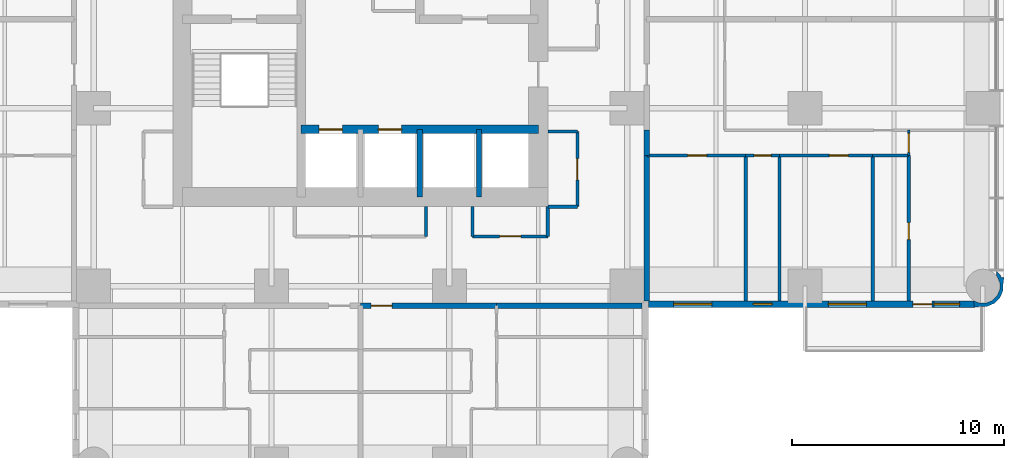
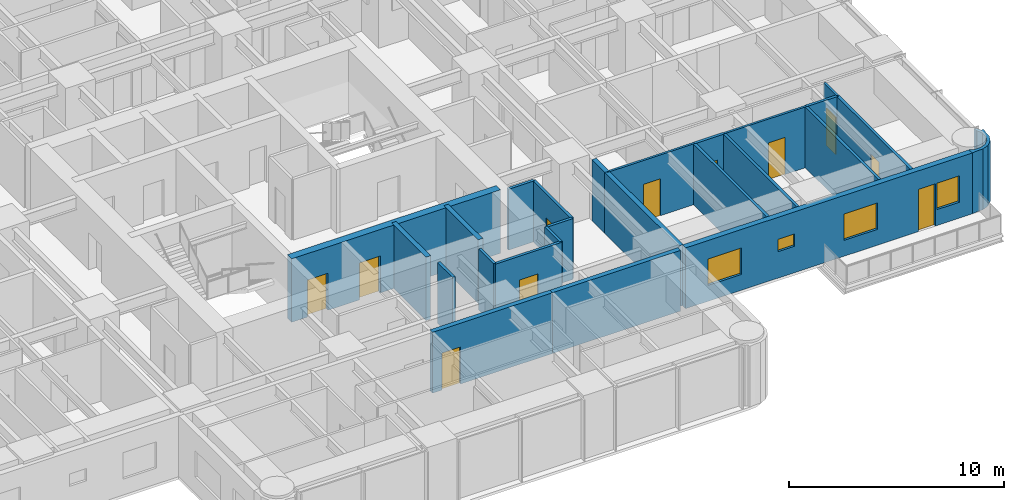
# One storey, part 9 of 15: 25 walls, 11 doors, 4 windows, 15 openings.
"""IFC4 building model written with IfcOpenShell, lengths in metres."""

from ifc_helpers import new_model, si_unit, direction, frame, frame_2d, origin, place, context, subcontext, project, spatial, polyline, rectangle, outline, extrude, material, layer, layer_set, type_object, element, fill, save


model = new_model("IFC4")

# Units and contexts
model_context = context("Model", 3, precision=1e-05, world=origin(), true_north=direction((0.0, 1.0)))
body_context = subcontext(model_context, "Body", "Model", "MODEL_VIEW")
ifc_project = project(units=[si_unit("LENGTHUNIT", "METRE"), si_unit("AREAUNIT", "SQUARE_METRE"), si_unit("VOLUMEUNIT", "CUBIC_METRE"), si_unit("PLANEANGLEUNIT", "RADIAN"), si_unit("MASSUNIT", "GRAM", prefix="KILO")], contexts=[model_context])

# Site, building, storey
site_placement = place(None, origin())
site = spatial("IfcSite", under=ifc_project, at=site_placement, CompositionType="ELEMENT")
building_placement = place(site_placement, origin())
building = spatial("IfcBuilding", under=site, at=building_placement, Name="Torre Alcanfor", CompositionType="ELEMENT")
storey_placement = place(building_placement, frame((0.0, 0.0, 152.10009765625)))
storey = spatial("IfcBuildingStorey", under=building, at=storey_placement, Name="L39", CompositionType="ELEMENT", Elevation=152.10009765625)

# Walls
ifc_material_1 = material(Name="Concrete block masonry, hollow blocks NMX-C-404 9 MPa", Category="masonry")
ifc_layer_1 = layer(ifc_material_1, 0.25)
ifc_layer_set_1 = layer_set([ifc_layer_1], Name="Apartment entrance wall 250 EI 60")
wall_type_1 = type_object("IfcWallType", Name="Apartment entrance wall 250 EI 60", PredefinedType="PARTITIONING", material=ifc_layer_set_1)
wall_1_placement = place(storey_placement, frame((42.925048828125, 24.1708984375, 0.0), z_axis=(0.0, 0.0, 1.0), x_axis=(0.0, -1.0, 0.0)))
element("IfcWall", 1, at=wall_1_placement, inside=storey, type_object=wall_type_1, Name="Partition L39-CORR / L39-E2-HALL", PredefinedType="PARTITIONING", context=body_context, shape_type="SweptSolid", body=[
    extrude(rectangle(XDim=1.199951171875, YDim=0.25, at=frame_2d((0.60009765625, 0.0))), origin(), (0.0, 0.0, 1.0), 3.449951171875),
])
wall_2_placement = place(storey_placement, frame((42.925048828125, 22.970947265625, 0.0), z_axis=(0.0, 0.0, 1.0), x_axis=(0.0, -1.0, 0.0)))
element("IfcWall", 2, at=wall_2_placement, inside=storey, type_object=wall_type_1, Name="Partition L39-CORR / L39-E2-BED3", PredefinedType="PARTITIONING", context=body_context, shape_type="SweptSolid", body=[
    extrude(rectangle(XDim=6.870849609375, YDim=0.25, at=frame_2d((3.435546875, 0.0))), origin(), (0.0, 0.0, 1.0), 3.449951171875),
])

# Wall, opening, door
wall_3_placement = place(storey_placement, frame((35.8291015625, 15.875, 0.0), z_axis=(0.0, 0.0, 1.0), x_axis=(-1.0, 0.0, 0.0)))
wall_3 = element("IfcWall", 3, at=wall_3_placement, inside=storey, type_object=wall_type_1, Name="Partition L39-CORR / L39-S1-LIVING", PredefinedType="PARTITIONING", context=body_context, shape_type="SweptSolid", body=[
    extrude(rectangle(XDim=6.42919921875, YDim=0.25, at=frame_2d((3.214599609375, 0.0))), origin(), (0.0, 0.0, 1.0), 3.449951171875),
])
opening_1_placement = place(wall_3_placement, frame((4.928955078125, 0.0, 0.0)))
opening_1 = element("IfcOpeningElement", 4, at=opening_1_placement, cuts=wall_3, Name="Opening D-A1", PredefinedType="OPENING", context=body_context, shape_type="SweptSolid", body=[
    extrude(rectangle(XDim=1.0, YDim=2.10009765625, at=frame_2d((0.5, 1.050048828125))), frame((0.0, 0.135009765625, 0.0), z_axis=(0.0, -1.0, 0.0), x_axis=(1.0, 0.0, 0.0)), (0.0, 0.0, 1.0), 0.27001953125),
])
ifc_material_2 = material(Name="Galvanised steel sheet ASTM A653", Category="steel")
door_type_1 = type_object("IfcDoorType", Name="Apartment entrance door FD60 1000x2100", OperationType="SINGLE_SWING_LEFT", PredefinedType="DOOR", material=ifc_material_2)
door_1_placement = place(opening_1_placement, origin())
door_1 = element("IfcDoor", 5, at=door_1_placement, inside=storey, type_object=door_type_1, Name="Apartment entrance L39-S1", OperationType="SINGLE_SWING_RIGHT", OverallHeight=2.10009765625, OverallWidth=1.0, PredefinedType="DOOR", context=body_context, shape_type="SweptSolid", body=[
    extrude(rectangle(XDim=1.0, YDim=2.10009765625, at=frame_2d((0.5, 1.050048828125))), frame((0.0, 0.02490234375, 0.0), z_axis=(0.0, -1.0, 0.0), x_axis=(1.0, 0.0, 0.0)), (0.0, 0.0, 1.0), 0.050048828125),
])
fill(opening_1, door_1)

# Wall
wall_4_placement = place(storey_placement, frame((42.699951171875, 15.875, 0.0), z_axis=(0.0, 0.0, 1.0), x_axis=(-1.0, 0.0, 0.0)))
element("IfcWall", 6, at=wall_4_placement, inside=storey, type_object=wall_type_1, Name="Partition L39-CORR / L39-S1-BATH", PredefinedType="PARTITIONING", context=body_context, shape_type="SweptSolid", body=[
    extrude(rectangle(XDim=6.870849609375, YDim=0.25, at=frame_2d((3.435546875, 0.0))), origin(), (0.0, 0.0, 1.0), 3.449951171875),
])

# Wall, opening, door
ifc_material_3 = material(Name="Gypsum board on steel studs", Category="steel")
ifc_layer_2 = layer(ifc_material_3, 0.1201171875)
ifc_layer_set_2 = layer_set([ifc_layer_2], Name="Apartment partition 120")
wall_type_2 = type_object("IfcWallType", Name="Apartment partition 120", PredefinedType="PARTITIONING", material=ifc_layer_set_2)
wall_5_placement = place(storey_placement, frame((47.60009765625, 22.970947265625, 0.0), z_axis=(0.0, 0.0, 1.0), x_axis=(-1.0, 0.0, 0.0)))
wall_5 = element("IfcWall", 7, at=wall_5_placement, inside=storey, type_object=wall_type_2, Name="Partition L39-E2-HALL / L39-E2-BED3", PredefinedType="PARTITIONING", context=body_context, shape_type="SweptSolid", body=[
    extrude(rectangle(XDim=4.675048828125, YDim=0.1201171875, at=frame_2d((2.33740234375, 0.0))), origin(), (0.0, 0.0, 1.0), 3.449951171875),
])
opening_2_placement = place(wall_5_placement, frame((1.85009765625, 0.0, 0.0)))
opening_2 = element("IfcOpeningElement", 8, at=opening_2_placement, cuts=wall_5, Name="Opening D-R1", PredefinedType="OPENING", context=body_context, shape_type="SweptSolid", body=[
    extrude(rectangle(XDim=0.89990234375, YDim=2.10009765625, at=frame_2d((0.449951171875, 1.050048828125))), frame((0.0, 0.070068359375, 0.0), z_axis=(0.0, -1.0, 0.0), x_axis=(1.0, 0.0, 0.0)), (0.0, 0.0, 1.0), 0.14013671875),
])
ifc_material_4 = material(Name="Timber", Category="wood")
door_type_2 = type_object("IfcDoorType", Name="Internal door 900x2100", OperationType="SINGLE_SWING_LEFT", PredefinedType="DOOR", material=ifc_material_4)
door_2_placement = place(opening_2_placement, origin())
door_2 = element("IfcDoor", 9, at=door_2_placement, inside=storey, type_object=door_type_2, Name="Door L39-E2 bed3", OperationType="SINGLE_SWING_LEFT", OverallHeight=2.10009765625, OverallWidth=0.89990234375, PredefinedType="DOOR", context=body_context, shape_type="SweptSolid", body=[
    extrude(rectangle(XDim=0.89990234375, YDim=2.10009765625, at=frame_2d((0.449951171875, 1.050048828125))), frame((0.0, 0.02490234375, 0.0), z_axis=(0.0, -1.0, 0.0), x_axis=(1.0, 0.0, 0.0)), (0.0, 0.0, 1.0), 0.050048828125),
])
fill(opening_2, door_2)

wall_6_placement = place(storey_placement, frame((53.60009765625, 22.970947265625, 0.0), z_axis=(0.0, 0.0, 1.0), x_axis=(-1.0, 0.0, 0.0)))
wall_6 = element("IfcWall", 10, at=wall_6_placement, inside=storey, type_object=wall_type_2, Name="Partition L39-E2-HALL / L39-E2-BED2", PredefinedType="PARTITIONING", context=body_context, shape_type="SweptSolid", body=[
    extrude(rectangle(XDim=4.400146484375, YDim=0.1201171875, at=frame_2d((2.2001953125, 0.0))), origin(), (0.0, 0.0, 1.0), 3.449951171875),
])
opening_3_placement = place(wall_6_placement, frame((1.14990234375, 0.0, 0.0)))
opening_3 = element("IfcOpeningElement", 11, at=opening_3_placement, cuts=wall_6, Name="Opening D-R1", PredefinedType="OPENING", context=body_context, shape_type="SweptSolid", body=[
    extrude(rectangle(XDim=0.89990234375, YDim=2.10009765625, at=frame_2d((0.449951171875, 1.050048828125))), frame((0.0, 0.070068359375, 0.0), z_axis=(0.0, -1.0, 0.0), x_axis=(1.0, 0.0, 0.0)), (0.0, 0.0, 1.0), 0.14013671875),
])
door_3_placement = place(opening_3_placement, origin())
door_3 = element("IfcDoor", 12, at=door_3_placement, inside=storey, type_object=door_type_2, Name="Door L39-E2 bed2", OperationType="SINGLE_SWING_LEFT", OverallHeight=2.10009765625, OverallWidth=0.89990234375, PredefinedType="DOOR", context=body_context, shape_type="SweptSolid", body=[
    extrude(rectangle(XDim=0.89990234375, YDim=2.10009765625, at=frame_2d((0.449951171875, 1.050048828125))), frame((0.0, 0.02490234375, 0.0), z_axis=(0.0, -1.0, 0.0), x_axis=(1.0, 0.0, 0.0)), (0.0, 0.0, 1.0), 0.050048828125),
])
fill(opening_3, door_3)

wall_7_placement = place(storey_placement, frame((55.300048828125, 24.1708984375, 0.0), z_axis=(0.0, 0.0, 1.0), x_axis=(0.0, -1.0, 0.0)))
wall_7 = element("IfcWall", 13, at=wall_7_placement, inside=storey, type_object=wall_type_2, Name="Partition L39-E2-HALL / L39-E2-MASTER", PredefinedType="PARTITIONING", context=body_context, shape_type="SweptSolid", body=[
    extrude(rectangle(XDim=1.199951171875, YDim=0.1201171875, at=frame_2d((0.60009765625, 0.0))), origin(), (0.0, 0.0, 1.0), 3.449951171875),
])
opening_4_placement = place(wall_7_placement, frame((0.15087890625, 0.0, 0.0)))
opening_4 = element("IfcOpeningElement", 14, at=opening_4_placement, cuts=wall_7, Name="Opening D-R1", PredefinedType="OPENING", context=body_context, shape_type="SweptSolid", body=[
    extrude(rectangle(XDim=0.89990234375, YDim=2.10009765625, at=frame_2d((0.449951171875, 1.050048828125))), frame((0.0, 0.070068359375, 0.0), z_axis=(0.0, -1.0, 0.0), x_axis=(1.0, 0.0, 0.0)), (0.0, 0.0, 1.0), 0.14013671875),
])
door_4_placement = place(opening_4_placement, origin())
door_4 = element("IfcDoor", 15, at=door_4_placement, inside=storey, type_object=door_type_2, Name="Door L39-E2 master", OperationType="SINGLE_SWING_LEFT", OverallHeight=2.10009765625, OverallWidth=0.89990234375, PredefinedType="DOOR", context=body_context, shape_type="SweptSolid", body=[
    extrude(rectangle(XDim=0.89990234375, YDim=2.10009765625, at=frame_2d((0.449951171875, 1.050048828125))), frame((0.0, 0.02490234375, 0.0), z_axis=(0.0, -1.0, 0.0), x_axis=(1.0, 0.0, 0.0)), (0.0, 0.0, 1.0), 0.050048828125),
])
fill(opening_4, door_4)

# Wall, openings, doors
ifc_material_5 = material(Name="Concrete f'c 70 MPa", Category="concrete")
ifc_layer_3 = layer(ifc_material_5, 0.39990234375)
ifc_layer_set_3 = layer_set([ifc_layer_3], Name="Core inner wall 400 f'c70")
wall_type_3 = type_object("IfcWallType", Name="Core inner wall 400 f'c70", PredefinedType="SHEAR", material=ifc_layer_set_3)
wall_8_placement = place(storey_placement, frame((26.60009765625, 24.199951171875, 0.0), z_axis=(0.0, 0.0, 1.0), x_axis=(1.0, 0.0, 0.0)))
wall_8 = element("IfcWall", 16, at=wall_8_placement, inside=storey, type_object=wall_type_3, Name="Core wall Y242 L39", PredefinedType="SHEAR", context=body_context, shape_type="SweptSolid", body=[
    extrude(rectangle(XDim=11.199951171875, YDim=0.39990234375, at=frame_2d((5.60009765625, 0.0))), origin(), (0.0, 0.0, 1.0), 3.599853515625),
])
opening_5_placement = place(wall_8_placement, frame((0.85009765625, 0.0, 0.0)))
opening_5 = element("IfcOpeningElement", 17, at=opening_5_placement, cuts=wall_8, Name="Opening LD1", PredefinedType="OPENING", context=body_context, shape_type="SweptSolid", body=[
    extrude(rectangle(XDim=1.10009765625, YDim=2.10009765625, at=frame_2d((0.550048828125, 1.050048828125))), frame((0.0, 0.2099609375, 0.0), z_axis=(0.0, -1.0, 0.0), x_axis=(1.0, 0.0, 0.0)), (0.0, 0.0, 1.0), 0.419921875),
])
opening_6_placement = place(wall_8_placement, frame((3.64990234375, 0.0, 0.0)))
opening_6 = element("IfcOpeningElement", 18, at=opening_6_placement, cuts=wall_8, Name="Opening LD1", PredefinedType="OPENING", context=body_context, shape_type="SweptSolid", body=[
    extrude(rectangle(XDim=1.10009765625, YDim=2.10009765625, at=frame_2d((0.550048828125, 1.050048828125))), frame((0.0, 0.2099609375, 0.0), z_axis=(0.0, -1.0, 0.0), x_axis=(1.0, 0.0, 0.0)), (0.0, 0.0, 1.0), 0.419921875),
])
ifc_material_6 = material(Name="Galvanised steel sheet ASTM A653", Category="steel")
door_type_3 = type_object("IfcDoorType", Name="Lift landing door 1100x2100", OperationType="DOUBLE_DOOR_SLIDING", PredefinedType="DOOR", material=ifc_material_6)
door_5_placement = place(opening_5_placement, origin())
door_5 = element("IfcDoor", 19, at=door_5_placement, inside=storey, type_object=door_type_3, Name="Lift landing door PA1 L39", OperationType="DOUBLE_DOOR_SLIDING", OverallHeight=2.10009765625, OverallWidth=1.10009765625, PredefinedType="DOOR", context=body_context, shape_type="SweptSolid", body=[
    extrude(rectangle(XDim=1.10009765625, YDim=2.10009765625, at=frame_2d((0.550048828125, 1.050048828125))), frame((0.0, 0.02490234375, 0.0), z_axis=(0.0, -1.0, 0.0), x_axis=(1.0, 0.0, 0.0)), (0.0, 0.0, 1.0), 0.050048828125),
])
fill(opening_5, door_5)
door_6_placement = place(opening_6_placement, origin())
door_6 = element("IfcDoor", 20, at=door_6_placement, inside=storey, type_object=door_type_3, Name="Lift landing door PA2 L39", OperationType="DOUBLE_DOOR_SLIDING", OverallHeight=2.10009765625, OverallWidth=1.10009765625, PredefinedType="DOOR", context=body_context, shape_type="SweptSolid", body=[
    extrude(rectangle(XDim=1.10009765625, YDim=2.10009765625, at=frame_2d((0.550048828125, 1.050048828125))), frame((0.0, 0.02490234375, 0.0), z_axis=(0.0, -1.0, 0.0), x_axis=(1.0, 0.0, 0.0)), (0.0, 0.0, 1.0), 0.050048828125),
])
fill(opening_6, door_6)

# Walls
ifc_material_7 = material(Name="Concrete f'c 70 MPa", Category="concrete")
ifc_layer_4 = layer(ifc_material_7, 0.25)
ifc_layer_set_4 = layer_set([ifc_layer_4], Name="Core shaft wall 250 f'c70")
wall_type_4 = type_object("IfcWallType", Name="Core shaft wall 250 f'c70", PredefinedType="SHEAR", material=ifc_layer_set_4)
for number, where, z_axis, x_axis, name in (
    (21, (32.199951171875, 21.0, 0.0), (0.0, 0.0, 1.0), (0.0, 1.0, 0.0), "Core wall X322S L39"),
    (22, (35.0, 21.0, 0.0), (0.0, 0.0, 1.0), (0.0, 1.0, 0.0), "Core wall X350S L39"),
):
    element("IfcWall", number, at=place(storey_placement, frame(where, z_axis=z_axis, x_axis=x_axis)), inside=storey, type_object=wall_type_4, Name=name, PredefinedType="SHEAR", context=body_context, shape_type="SweptSolid", body=[
        extrude(rectangle(XDim=3.199951171875, YDim=0.25, at=frame_2d((1.60009765625, 0.0))), origin(), (0.0, 0.0, 1.0), 3.599853515625),
    ])

# Wall, openings, door, windows
ifc_material_8 = material(Name="Limestone cladding", Category="masonry")
ifc_layer_5 = layer(ifc_material_8, 0.0400390625, Name="Facing")
ifc_material_9 = material(Name="Ventilated air cavity")
ifc_layer_6 = layer(ifc_material_9, 0.02001953125, ventilated=True, Name="Ventilated joint")
ifc_material_10 = material(Name="Mineral wool insulation", Category="insulation")
ifc_layer_7 = layer(ifc_material_10, 0.10009765625, Name="Insulation")
ifc_material_11 = material(Name="Concrete f'c 35 MPa", Category="concrete")
ifc_layer_8 = layer(ifc_material_11, 0.139892578125, Name="Backing")
ifc_layer_set_5 = layer_set([ifc_layer_5, ifc_layer_6, ifc_layer_7, ifc_layer_8], Name="External wall stone-clad 300")
wall_type_5 = type_object("IfcWallType", Name="External wall stone-clad 300", PredefinedType="SOLIDWALL", material=ifc_layer_set_5)
wall_9_placement = place(storey_placement, frame((43.0, 15.949951171875, 0.0), z_axis=(0.0, 0.0, 1.0), x_axis=(1.0, 0.0, 0.0)))
wall_9 = element("IfcWall", 23, at=wall_9_placement, inside=storey, type_object=wall_type_5, Name="External wall L39 7", PredefinedType="SOLIDWALL", context=body_context, shape_type="SweptSolid", body=[
    extrude(rectangle(XDim=15.39990234375, YDim=0.300048828125, at=frame_2d((7.699951171875, 0.0))), origin(), (0.0, 0.0, 1.0), 3.449951171875),
])
opening_7_placement = place(wall_9_placement, frame((1.199951171875, 0.0, 0.89990234375)))
opening_7 = element("IfcOpeningElement", 24, at=opening_7_placement, cuts=wall_9, Name="Opening W2", PredefinedType="OPENING", context=body_context, shape_type="SweptSolid", body=[
    extrude(rectangle(XDim=1.800048828125, YDim=1.5, at=frame_2d((0.89990234375, 0.75))), frame((0.0, 0.159912109375, 0.0), z_axis=(0.0, -1.0, 0.0), x_axis=(1.0, 0.0, 0.0)), (0.0, 0.0, 1.0), 0.320068359375),
])
opening_8_placement = place(wall_9_placement, frame((4.949951171875, 0.0, 1.5)))
opening_8 = element("IfcOpeningElement", 25, at=opening_8_placement, cuts=wall_9, Name="Opening W3", PredefinedType="OPENING", context=body_context, shape_type="SweptSolid", body=[
    extrude(rectangle(XDim=0.89990234375, YDim=0.699951171875, at=frame_2d((0.449951171875, 0.35009765625))), frame((0.0, 0.159912109375, 0.0), z_axis=(0.0, -1.0, 0.0), x_axis=(1.0, 0.0, 0.0)), (0.0, 0.0, 1.0), 0.320068359375),
])
opening_9_placement = place(wall_9_placement, frame((8.5, 0.0, 0.89990234375)))
opening_9 = element("IfcOpeningElement", 26, at=opening_9_placement, cuts=wall_9, Name="Opening W2", PredefinedType="OPENING", context=body_context, shape_type="SweptSolid", body=[
    extrude(rectangle(XDim=1.800048828125, YDim=1.5, at=frame_2d((0.89990234375, 0.75))), frame((0.0, 0.159912109375, 0.0), z_axis=(0.0, -1.0, 0.0), x_axis=(1.0, 0.0, 0.0)), (0.0, 0.0, 1.0), 0.320068359375),
])
opening_10_placement = place(wall_9_placement, frame((12.5, 0.0, 0.0)))
opening_10 = element("IfcOpeningElement", 27, at=opening_10_placement, cuts=wall_9, Name="Opening D-B1", PredefinedType="OPENING", context=body_context, shape_type="SweptSolid", body=[
    extrude(rectangle(XDim=0.89990234375, YDim=2.39990234375, at=frame_2d((0.449951171875, 1.199951171875))), frame((0.0, 0.159912109375, 0.0), z_axis=(0.0, -1.0, 0.0), x_axis=(1.0, 0.0, 0.0)), (0.0, 0.0, 1.0), 0.320068359375),
])
opening_11_placement = place(wall_9_placement, frame((13.5, 0.0, 0.89990234375)))
opening_11 = element("IfcOpeningElement", 28, at=opening_11_placement, cuts=wall_9, Name="Opening W4", PredefinedType="OPENING", context=body_context, shape_type="SweptSolid", body=[
    extrude(rectangle(XDim=1.199951171875, YDim=1.5, at=frame_2d((0.60009765625, 0.75))), frame((0.0, 0.159912109375, 0.0), z_axis=(0.0, -1.0, 0.0), x_axis=(1.0, 0.0, 0.0)), (0.0, 0.0, 1.0), 0.320068359375),
])
ifc_material_12 = material(Name="Aluminium and glass", Category="aluminium")
door_type_4 = type_object("IfcDoorType", Name="Balcony door glazed 900x2400", OperationType="SINGLE_SWING_LEFT", PredefinedType="DOOR", material=ifc_material_12)
door_7_placement = place(opening_10_placement, origin())
door_7 = element("IfcDoor", 29, at=door_7_placement, inside=storey, type_object=door_type_4, Name="Balcony door L39-E2", OperationType="SINGLE_SWING_LEFT", OverallHeight=2.39990234375, OverallWidth=0.89990234375, PredefinedType="DOOR", context=body_context, shape_type="SweptSolid", body=[
    extrude(rectangle(XDim=0.89990234375, YDim=2.39990234375, at=frame_2d((0.449951171875, 1.199951171875))), frame((0.0, 0.02490234375, 0.0), z_axis=(0.0, -1.0, 0.0), x_axis=(1.0, 0.0, 0.0)), (0.0, 0.0, 1.0), 0.050048828125),
])
fill(opening_10, door_7)
ifc_material_13 = material(Name="Aluminium frame with clear double glazing", Category="aluminium")
window_type_1 = type_object("IfcWindowType", Name="Window bathroom 900x700", PartitioningType="SINGLE_PANEL", PredefinedType="WINDOW", material=ifc_material_13)
window_1_placement = place(opening_8_placement, origin())
window_1 = element("IfcWindow", 30, at=window_1_placement, inside=storey, type_object=window_type_1, Name="Window W3 L39-E2", OverallHeight=0.699951171875, OverallWidth=0.89990234375, PartitioningType="SINGLE_PANEL", PredefinedType="WINDOW", context=body_context, shape_type="SweptSolid", body=[
    extrude(rectangle(XDim=0.89990234375, YDim=0.699951171875, at=frame_2d((0.449951171875, 0.35009765625))), frame((0.0, 0.030029296875, 0.0), z_axis=(0.0, -1.0, 0.0), x_axis=(1.0, 0.0, 0.0)), (0.0, 0.0, 1.0), 0.06005859375),
])
fill(opening_8, window_1)
ifc_material_14 = material(Name="Aluminium frame with clear double glazing", Category="aluminium")
window_type_2 = type_object("IfcWindowType", Name="Window bedroom 1200x1500", PartitioningType="SINGLE_PANEL", PredefinedType="WINDOW", material=ifc_material_14)
window_2_placement = place(opening_11_placement, origin())
window_2 = element("IfcWindow", 31, at=window_2_placement, inside=storey, type_object=window_type_2, Name="Window W4 L39-E2", OverallHeight=1.5, OverallWidth=1.199951171875, PartitioningType="SINGLE_PANEL", PredefinedType="WINDOW", context=body_context, shape_type="SweptSolid", body=[
    extrude(rectangle(XDim=1.199951171875, YDim=1.5, at=frame_2d((0.60009765625, 0.75))), frame((0.0, 0.030029296875, 0.0), z_axis=(0.0, -1.0, 0.0), x_axis=(1.0, 0.0, 0.0)), (0.0, 0.0, 1.0), 0.06005859375),
])
fill(opening_11, window_2)
ifc_material_15 = material(Name="Aluminium frame with clear double glazing", Category="aluminium")
window_type_3 = type_object("IfcWindowType", Name="Window bedroom 1800x1500", PartitioningType="SINGLE_PANEL", PredefinedType="WINDOW", material=ifc_material_15)
window_3_placement = place(opening_7_placement, origin())
window_3 = element("IfcWindow", 32, at=window_3_placement, inside=storey, type_object=window_type_3, Name="Window W2 L39-E2", OverallHeight=1.5, OverallWidth=1.800048828125, PartitioningType="SINGLE_PANEL", PredefinedType="WINDOW", context=body_context, shape_type="SweptSolid", body=[
    extrude(rectangle(XDim=1.800048828125, YDim=1.5, at=frame_2d((0.89990234375, 0.75))), frame((0.0, 0.030029296875, 0.0), z_axis=(0.0, -1.0, 0.0), x_axis=(1.0, 0.0, 0.0)), (0.0, 0.0, 1.0), 0.06005859375),
])
fill(opening_7, window_3)
window_4_placement = place(opening_9_placement, origin())
window_4 = element("IfcWindow", 33, at=window_4_placement, inside=storey, type_object=window_type_3, Name="Window W2 L39-E2", OverallHeight=1.5, OverallWidth=1.800048828125, PartitioningType="SINGLE_PANEL", PredefinedType="WINDOW", context=body_context, shape_type="SweptSolid", body=[
    extrude(rectangle(XDim=1.800048828125, YDim=1.5, at=frame_2d((0.89990234375, 0.75))), frame((0.0, 0.030029296875, 0.0), z_axis=(0.0, -1.0, 0.0), x_axis=(1.0, 0.0, 0.0)), (0.0, 0.0, 1.0), 0.06005859375),
])
fill(opening_9, window_4)

# Wall
ifc_material_16 = material(Name="Concrete block masonry, hollow blocks NMX-C-404 9 MPa", Category="masonry")
ifc_layer_9 = layer(ifc_material_16, 0.14990234375)
ifc_layer_set_6 = layer_set([ifc_layer_9], Name="Residents' room partition 150")
wall_type_6 = type_object("IfcWallType", Name="Residents' room partition 150", PredefinedType="PARTITIONING", material=ifc_layer_set_6)
wall_10_placement = place(storey_placement, frame((38.25, 20.550048828125, 0.0), z_axis=(0.0, 0.0, 1.0), x_axis=(1.0, 0.0, 0.0)))
element("IfcWall", 34, at=wall_10_placement, inside=storey, type_object=wall_type_6, Name="Partition L39-CORR / L39-G03", PredefinedType="PARTITIONING", context=body_context, shape_type="SweptSolid", body=[
    extrude(rectangle(XDim=1.39990234375, YDim=0.14990234375, at=frame_2d((0.699951171875, 0.0))), origin(), (0.0, 0.0, 1.0), 3.449951171875),
])

# Wall, opening, door
wall_11_placement = place(storey_placement, frame((39.64990234375, 20.550048828125, 0.0), z_axis=(0.0, 0.0, 1.0), x_axis=(0.0, 1.0, 0.0)))
wall_11 = element("IfcWall", 35, at=wall_11_placement, inside=storey, type_object=wall_type_6, Name="Partition L39-CORR / L39-G03", PredefinedType="PARTITIONING", context=body_context, shape_type="SweptSolid", body=[
    extrude(rectangle(XDim=3.550048828125, YDim=0.14990234375, at=frame_2d((1.77490234375, 0.0))), origin(), (0.0, 0.0, 1.0), 3.449951171875),
])
opening_12_placement = place(wall_11_placement, frame((1.27490234375, 0.0, 0.0)))
opening_12 = element("IfcOpeningElement", 36, at=opening_12_placement, cuts=wall_11, Name="Opening D-M1", PredefinedType="OPENING", context=body_context, shape_type="SweptSolid", body=[
    extrude(rectangle(XDim=1.0, YDim=2.10009765625, at=frame_2d((0.5, 1.050048828125))), frame((0.0, 0.0849609375, 0.0), z_axis=(0.0, -1.0, 0.0), x_axis=(1.0, 0.0, 0.0)), (0.0, 0.0, 1.0), 0.169921875),
])
ifc_material_17 = material(Name="Timber", Category="wood")
door_type_5 = type_object("IfcDoorType", Name="Residents' room door 1000x2100", OperationType="SINGLE_SWING_LEFT", PredefinedType="DOOR", material=ifc_material_17)
door_8_placement = place(opening_12_placement, origin())
door_8 = element("IfcDoor", 37, at=door_8_placement, inside=storey, type_object=door_type_5, Name="Door L39-G03 parcel room", OperationType="SINGLE_SWING_LEFT", OverallHeight=2.10009765625, OverallWidth=1.0, PredefinedType="DOOR", context=body_context, shape_type="SweptSolid", body=[
    extrude(rectangle(XDim=1.0, YDim=2.10009765625, at=frame_2d((0.5, 1.050048828125))), frame((0.0, 0.02490234375, 0.0), z_axis=(0.0, -1.0, 0.0), x_axis=(1.0, 0.0, 0.0)), (0.0, 0.0, 1.0), 0.050048828125),
])
fill(opening_12, door_8)

# Walls
wall_12_placement = place(storey_placement, frame((39.64990234375, 24.10009765625, 0.0), z_axis=(0.0, 0.0, 1.0), x_axis=(-1.0, 0.0, 0.0)))
element("IfcWall", 38, at=wall_12_placement, inside=storey, type_object=wall_type_6, Name="Partition L39-CORR / L39-G03", PredefinedType="PARTITIONING", context=body_context, shape_type="SweptSolid", body=[
    extrude(rectangle(XDim=1.39990234375, YDim=0.14990234375, at=frame_2d((0.699951171875, 0.0))), origin(), (0.0, 0.0, 1.0), 3.449951171875),
])
for number, where, z_axis, x_axis, name in (
    (39, (32.5, 19.14990234375, 0.0), (0.0, 0.0, 1.0), (0.0, 1.0, 0.0), "Partition L39-CORR / L39-G05"),
    (40, (34.699951171875, 20.550048828125, 0.0), (0.0, 0.0, 1.0), (0.0, -1.0, 0.0), "Partition L39-CORR / L39-G06"),
):
    element("IfcWall", number, at=place(storey_placement, frame(where, z_axis=z_axis, x_axis=x_axis)), inside=storey, type_object=wall_type_6, Name=name, PredefinedType="PARTITIONING", context=body_context, shape_type="SweptSolid", body=[
        extrude(rectangle(XDim=1.400146484375, YDim=0.14990234375, at=frame_2d((0.7001953125, 0.0))), origin(), (0.0, 0.0, 1.0), 3.449951171875),
    ])

# Wall, opening, door
wall_13_placement = place(storey_placement, frame((34.699951171875, 19.14990234375, 0.0), z_axis=(0.0, 0.0, 1.0), x_axis=(1.0, 0.0, 0.0)))
wall_13 = element("IfcWall", 41, at=wall_13_placement, inside=storey, type_object=wall_type_6, Name="Partition L39-CORR / L39-G06", PredefinedType="PARTITIONING", context=body_context, shape_type="SweptSolid", body=[
    extrude(rectangle(XDim=3.550048828125, YDim=0.14990234375, at=frame_2d((1.77490234375, 0.0))), origin(), (0.0, 0.0, 1.0), 3.449951171875),
])
opening_13_placement = place(wall_13_placement, frame((1.27490234375, 0.0, 0.0)))
opening_13 = element("IfcOpeningElement", 42, at=opening_13_placement, cuts=wall_13, Name="Opening D-M1", PredefinedType="OPENING", context=body_context, shape_type="SweptSolid", body=[
    extrude(rectangle(XDim=1.0, YDim=2.10009765625, at=frame_2d((0.5, 1.050048828125))), frame((0.0, 0.0849609375, 0.0), z_axis=(0.0, -1.0, 0.0), x_axis=(1.0, 0.0, 0.0)), (0.0, 0.0, 1.0), 0.169921875),
])
door_9_placement = place(opening_13_placement, origin())
door_9 = element("IfcDoor", 43, at=door_9_placement, inside=storey, type_object=door_type_5, Name="Door L39-G06 cleaners' store", OperationType="SINGLE_SWING_LEFT", OverallHeight=2.10009765625, OverallWidth=1.0, PredefinedType="DOOR", context=body_context, shape_type="SweptSolid", body=[
    extrude(rectangle(XDim=1.0, YDim=2.10009765625, at=frame_2d((0.5, 1.050048828125))), frame((0.0, 0.02490234375, 0.0), z_axis=(0.0, -1.0, 0.0), x_axis=(1.0, 0.0, 0.0)), (0.0, 0.0, 1.0), 0.050048828125),
])
fill(opening_13, door_9)

# Walls
wall_14_placement = place(storey_placement, frame((38.25, 19.14990234375, 0.0), z_axis=(0.0, 0.0, 1.0), x_axis=(0.0, 1.0, 0.0)))
element("IfcWall", 44, at=wall_14_placement, inside=storey, type_object=wall_type_6, Name="Partition L39-CORR / L39-G06", PredefinedType="PARTITIONING", context=body_context, shape_type="SweptSolid", body=[
    extrude(rectangle(XDim=1.400146484375, YDim=0.14990234375, at=frame_2d((0.7001953125, 0.0))), origin(), (0.0, 0.0, 1.0), 3.449951171875),
])
ifc_layer_10 = layer(ifc_material_8, 0.0400390625, Name="Facing")
ifc_layer_11 = layer(ifc_material_9, 0.02001953125, ventilated=True, Name="Ventilated joint")
ifc_layer_12 = layer(ifc_material_10, 0.10009765625, Name="Insulation")
ifc_layer_13 = layer(ifc_material_11, 0.139892578125, Name="Backing")
ifc_layer_set_7 = layer_set([ifc_layer_10, ifc_layer_11, ifc_layer_12, ifc_layer_13], Name="Rounded corner pier stone-clad 300")
wall_type_7 = type_object("IfcWallType", Name="Rounded corner pier stone-clad 300", PredefinedType="SOLIDWALL", material=ifc_layer_set_7)
wall_15_placement = place(storey_placement, frame((58.473176205, 15.982940512, 0.0), z_axis=(0.0, 0.0, 1.0), x_axis=(0.93923434088, -0.343276641956, 0.0)))
element("IfcWall", 45, at=wall_15_placement, inside=storey, type_object=wall_type_7, Name="Corner pier L39 17", PredefinedType="SOLIDWALL", context=body_context, shape_type="SweptSolid", body=[
    extrude(outline(polyline([(0.8284730010654036, 1.5985425833407376), (0.696550254150438, 1.5690420941096577), (0.604150309609554, 1.6696580493968027), (0.3940514645210207, 1.7672868618913617), (0.47123842429676593, 1.5560967183488668), (0.5084988752141064, 1.538782517623304), (0.7242236800575332, 1.304144262222244), (0.8335928250166512, 1.004900899222292), (0.8200123708562836, 0.6864548699061994), (0.6857181921193565, 0.39745154052212156), (0.4509961289443815, 0.18195604093769838), (0.15175276594442946, 0.07258689597858048), (-0.11627514476265094, 0.08405951949541965), (-0.12738305855443924, 0.07818018621272643), (-0.1459567845337466, 0.07139175652560875), (-0.006038883692560254, -0.1969313551897346), (0.2657016888450987, -0.05498461418889633), (0.5353646734335612, 0.04357332793518234), (0.8165937238928549, 0.3018001061266741), (0.9775139424010254, 0.6481031205348973), (0.9937655592370759, 1.0296500763704852), (0.8951238093390822, 1.2995423662179517), (0.8284730010654036, 1.5985425833407376)])), origin(), (0.0, 0.0, 1.0), 3.449951171875),
])

# Wall, opening, door
ifc_material_18 = material(Name="Cement board on steel studs", Category="steel")
ifc_layer_14 = layer(ifc_material_18, 0.14990234375)
ifc_layer_set_8 = layer_set([ifc_layer_14], Name="Wet area partition 150")
wall_type_8 = type_object("IfcWallType", Name="Wet area partition 150", PredefinedType="PARTITIONING", material=ifc_layer_set_8)
wall_16_placement = place(storey_placement, frame((49.199951171875, 22.970947265625, 0.0), z_axis=(0.0, 0.0, 1.0), x_axis=(-1.0, 0.0, 0.0)))
wall_16 = element("IfcWall", 46, at=wall_16_placement, inside=storey, type_object=wall_type_8, Name="Partition L39-E2-HALL / L39-E2-BATH1", PredefinedType="PARTITIONING", context=body_context, shape_type="SweptSolid", body=[
    extrude(rectangle(XDim=1.599853515625, YDim=0.14990234375, at=frame_2d((0.7998046875, 0.0))), origin(), (0.0, 0.0, 1.0), 3.449951171875),
])
opening_14_placement = place(wall_16_placement, frame((0.39990234375, 0.0, 0.0)))
opening_14 = element("IfcOpeningElement", 47, at=opening_14_placement, cuts=wall_16, Name="Opening D-R2", PredefinedType="OPENING", context=body_context, shape_type="SweptSolid", body=[
    extrude(rectangle(XDim=0.800048828125, YDim=2.10009765625, at=frame_2d((0.39990234375, 1.050048828125))), frame((0.0, 0.0849609375, 0.0), z_axis=(0.0, -1.0, 0.0), x_axis=(1.0, 0.0, 0.0)), (0.0, 0.0, 1.0), 0.169921875),
])
ifc_material_19 = material(Name="Timber", Category="wood")
door_type_6 = type_object("IfcDoorType", Name="Bathroom door 800x2100", OperationType="SINGLE_SWING_LEFT", PredefinedType="DOOR", material=ifc_material_19)
door_10_placement = place(opening_14_placement, origin())
door_10 = element("IfcDoor", 48, at=door_10_placement, inside=storey, type_object=door_type_6, Name="Door L39-E2 bath1", OperationType="SINGLE_SWING_LEFT", OverallHeight=2.10009765625, OverallWidth=0.800048828125, PredefinedType="DOOR", context=body_context, shape_type="SweptSolid", body=[
    extrude(rectangle(XDim=0.800048828125, YDim=2.10009765625, at=frame_2d((0.39990234375, 1.050048828125))), frame((0.0, 0.02490234375, 0.0), z_axis=(0.0, -1.0, 0.0), x_axis=(1.0, 0.0, 0.0)), (0.0, 0.0, 1.0), 0.050048828125),
])
fill(opening_14, door_10)

# Walls
wall_17_placement = place(storey_placement, frame((55.300048828125, 22.970947265625, 0.0), z_axis=(0.0, 0.0, 1.0), x_axis=(-1.0, 0.0, 0.0)))
element("IfcWall", 49, at=wall_17_placement, inside=storey, type_object=wall_type_8, Name="Partition L39-E2-HALL / L39-E2-ENSBATH", PredefinedType="PARTITIONING", context=body_context, shape_type="SweptSolid", body=[
    extrude(rectangle(XDim=1.699951171875, YDim=0.14990234375, at=frame_2d((0.85009765625, 0.0))), origin(), (0.0, 0.0, 1.0), 3.449951171875),
])
for number, where, z_axis, x_axis, name in (
    (50, (47.60009765625, 22.970947265625, 0.0), (0.0, 0.0, 1.0), (0.0, -1.0, 0.0), "Partition L39-E2-BED3 / L39-E2-BATH1"),
    (51, (49.199951171875, 22.970947265625, 0.0), (0.0, 0.0, 1.0), (0.0, -1.0, 0.0), "Partition L39-E2-BATH1 / L39-E2-BED2"),
    (52, (53.60009765625, 22.970947265625, 0.0), (0.0, 0.0, 1.0), (0.0, -1.0, 0.0), "Partition L39-E2-BED2 / L39-E2-ENSBATH"),
):
    element("IfcWall", number, at=place(storey_placement, frame(where, z_axis=z_axis, x_axis=x_axis)), inside=storey, type_object=wall_type_8, Name=name, PredefinedType="PARTITIONING", context=body_context, shape_type="SweptSolid", body=[
        extrude(rectangle(XDim=6.870849609375, YDim=0.14990234375, at=frame_2d((3.435546875, 0.0))), origin(), (0.0, 0.0, 1.0), 3.449951171875),
    ])

# Wall, opening, door
wall_18_placement = place(storey_placement, frame((55.300048828125, 22.970947265625, 0.0), z_axis=(0.0, 0.0, 1.0), x_axis=(0.0, -1.0, 0.0)))
wall_18 = element("IfcWall", 53, at=wall_18_placement, inside=storey, type_object=wall_type_8, Name="Partition L39-E2-ENSBATH / L39-E2-MASTER", PredefinedType="PARTITIONING", context=body_context, shape_type="SweptSolid", body=[
    extrude(rectangle(XDim=6.870849609375, YDim=0.14990234375, at=frame_2d((3.435546875, 0.0))), origin(), (0.0, 0.0, 1.0), 3.449951171875),
])
opening_15_placement = place(wall_18_placement, frame((3.1708984375, 0.0, 0.0)))
opening_15 = element("IfcOpeningElement", 54, at=opening_15_placement, cuts=wall_18, Name="Opening D-R2", PredefinedType="OPENING", context=body_context, shape_type="SweptSolid", body=[
    extrude(rectangle(XDim=0.800048828125, YDim=2.10009765625, at=frame_2d((0.39990234375, 1.050048828125))), frame((0.0, 0.0849609375, 0.0), z_axis=(0.0, -1.0, 0.0), x_axis=(1.0, 0.0, 0.0)), (0.0, 0.0, 1.0), 0.169921875),
])
door_11_placement = place(opening_15_placement, frame((0.800048828125, 0.0, 0.0), z_axis=(0.0, 0.0, 1.0), x_axis=(-1.0, 0.0, 0.0)))
door_11 = element("IfcDoor", 55, at=door_11_placement, inside=storey, type_object=door_type_6, Name="Door L39-E2 ensbath", OperationType="SINGLE_SWING_LEFT", OverallHeight=2.10009765625, OverallWidth=0.800048828125, PredefinedType="DOOR", context=body_context, shape_type="SweptSolid", body=[
    extrude(rectangle(XDim=0.800048828125, YDim=2.10009765625, at=frame_2d((0.400146484375, 1.050048828125))), frame((0.0, 0.025146484375, 0.0), z_axis=(0.0, -1.0, 0.0), x_axis=(1.0, 0.0, 0.0)), (0.0, 0.0, 1.0), 0.050048828125),
])
fill(opening_15, door_11)

save(model, "model.ifc")
